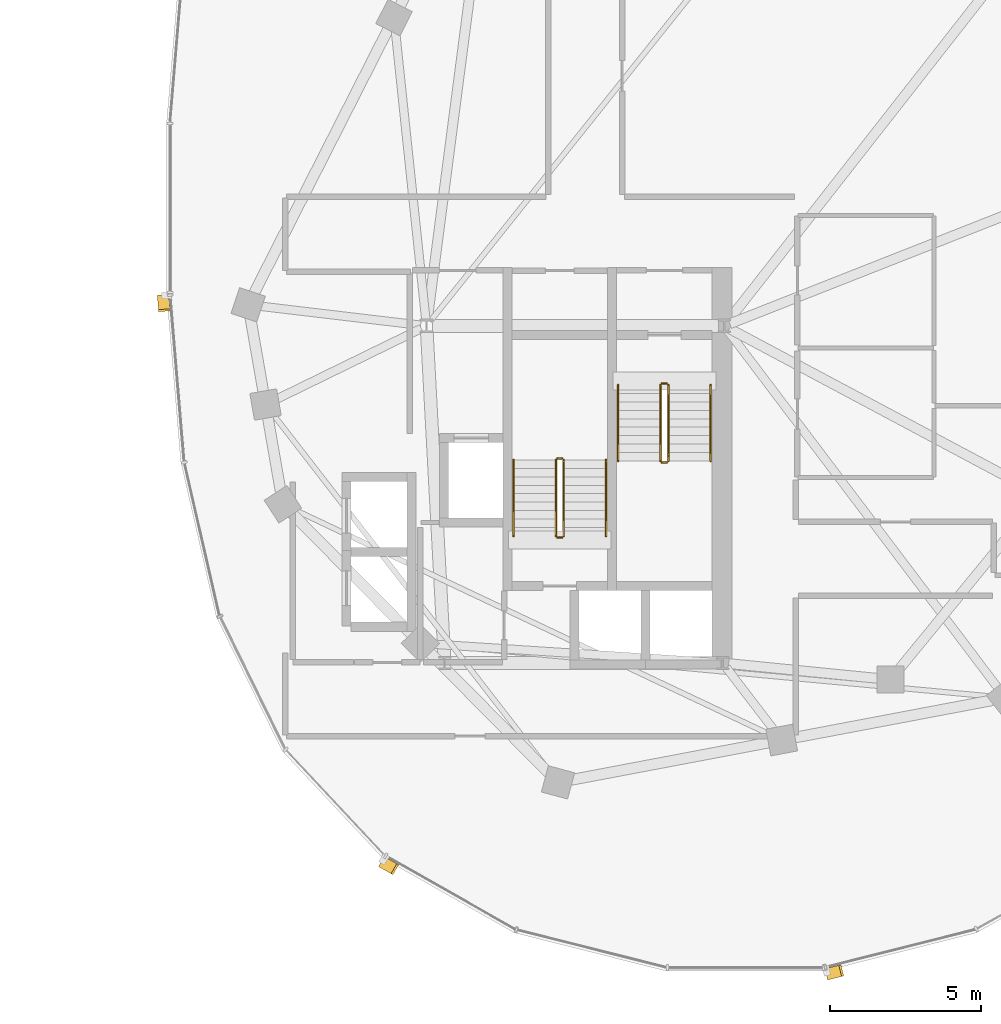
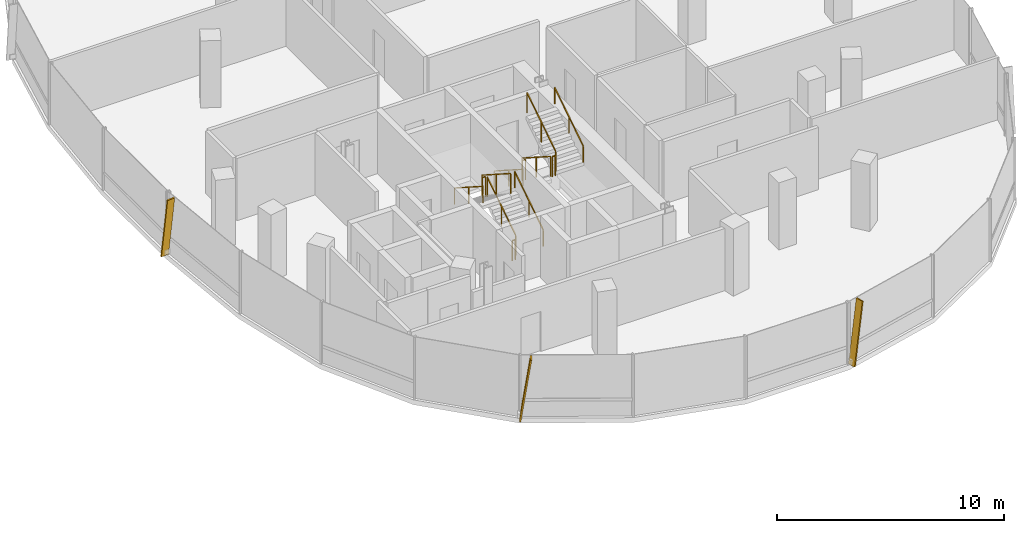
# One storey, part 24 of 25: 12 railings, 3 shading devices.
"""IFC4 building model written with IfcOpenShell, lengths in metres."""

from ifc_helpers import new_model, si_unit, direction, frame, origin, origin_2d, place, context, subcontext, project, spatial, rectangle, extrude, material, material_profile, profile_set, type_object, element, save


model = new_model("IFC4")

# Units and contexts
model_context = context("Model", 3, precision=1e-05, world=origin(), true_north=direction((0.0, 1.0)))
body_context = subcontext(model_context, "Body", "Model", "MODEL_VIEW")
ifc_project = project(units=[si_unit("LENGTHUNIT", "METRE"), si_unit("AREAUNIT", "SQUARE_METRE"), si_unit("VOLUMEUNIT", "CUBIC_METRE"), si_unit("PLANEANGLEUNIT", "RADIAN"), si_unit("MASSUNIT", "GRAM", prefix="KILO"), si_unit("THERMODYNAMICTEMPERATUREUNIT", "KELVIN"), si_unit("POWERUNIT", "WATT")], contexts=[model_context])

# Site, building, storey
site_placement = place(None, origin())
site = spatial("IfcSite", under=ifc_project, at=site_placement, CompositionType="ELEMENT")
building_placement = place(site_placement, origin())
building = spatial("IfcBuilding", under=site, at=building_placement, Name="Cundina Bronze Exchange", CompositionType="ELEMENT")
storey_placement = place(building_placement, frame((0.0, 0.0, 209.800048828125)))
storey = spatial("IfcBuildingStorey", under=building, at=storey_placement, Name="L55", CompositionType="ELEMENT", Elevation=209.800048828125)

# Railings
ifc_material_1 = material(Name="Steel ASTM A36 Painted", Category="steel")
railing_type_1 = type_object("IfcRailingType", Name="RLG-HND-900", PredefinedType="HANDRAIL", material=ifc_material_1)
railing_1_placement = place(storey_placement, frame((27.7900390625, -5.85009765625, 0.179931640625)))
element("IfcRailing", 1, at=railing_1_placement, inside=storey, type_object=railing_type_1, Name="L55 ST-E1 stair handrail 1", PredefinedType="HANDRAIL", context=body_context, shape_type="SweptSolid", body=[
    extrude(rectangle(XDim=0.048095703125, YDim=0.048095703125, at=origin_2d()), frame((0.0, 0.0, 0.8759765625), z_axis=(0.0, -0.841162588446, 0.540782303519), x_axis=(1.0, 0.0, 0.0)), (0.0, 0.0, 1.0), 2.995849609375),
    extrude(rectangle(XDim=0.0419921875, YDim=0.0419921875, at=origin_2d()), origin(), (0.0, 0.0, 1.0), 0.851806640625),
    extrude(rectangle(XDim=0.0419921875, YDim=0.0419921875, at=origin_2d()), frame((0.0, -1.260009765625, 0.81005859375)), (0.0, 0.0, 1.0), 0.851806640625),
    extrude(rectangle(XDim=0.0419921875, YDim=0.0419921875, at=origin_2d()), frame((0.0, -2.52001953125, 1.6201171875)), (0.0, 0.0, 1.0), 0.851806640625),
])
railing_2_placement = place(storey_placement, frame((30.85009765625, -8.3701171875, 1.97998046875)))
element("IfcRailing", 2, at=railing_2_placement, inside=storey, type_object=railing_type_1, Name="L55 ST-E1 stair handrail 2", PredefinedType="HANDRAIL", context=body_context, shape_type="SweptSolid", body=[
    extrude(rectangle(XDim=0.048095703125, YDim=0.048095703125, at=origin_2d()), frame((0.0, 0.0, 0.8759765625), z_axis=(0.0, 0.841199657755, 0.540724639528), x_axis=(-1.0, 0.0, 0.0)), (0.0, 0.0, 1.0), 2.995849609375),
    extrude(rectangle(XDim=0.0419921875, YDim=0.0419921875, at=origin_2d()), origin(), (0.0, 0.0, 1.0), 0.851806640625),
    extrude(rectangle(XDim=0.0419921875, YDim=0.0419921875, at=origin_2d()), frame((0.0, 1.260009765625, 0.81005859375)), (0.0, 0.0, 1.0), 0.851806640625),
    extrude(rectangle(XDim=0.0419921875, YDim=0.0419921875, at=origin_2d()), frame((0.0, 2.52001953125, 1.619873046875)), (0.0, 0.0, 1.0), 0.851806640625),
])
railing_3_placement = place(storey_placement, frame((27.389892578125, -10.85009765625, 0.179931640625)))
element("IfcRailing", 3, at=railing_3_placement, inside=storey, type_object=railing_type_1, Name="L55 ST-E2 stair handrail 1", PredefinedType="HANDRAIL", context=body_context, shape_type="SweptSolid", body=[
    extrude(rectangle(XDim=0.048095703125, YDim=0.048095703125, at=origin_2d()), frame((0.0, 0.0, 0.8759765625), z_axis=(0.0, 0.841162588446, 0.540782303519), x_axis=(-1.0, 0.0, 0.0)), (0.0, 0.0, 1.0), 2.995849609375),
    extrude(rectangle(XDim=0.0419921875, YDim=0.0419921875, at=origin_2d()), origin(), (0.0, 0.0, 1.0), 0.851806640625),
    extrude(rectangle(XDim=0.0419921875, YDim=0.0419921875, at=origin_2d()), frame((0.0, 1.260009765625, 0.81005859375)), (0.0, 0.0, 1.0), 0.851806640625),
    extrude(rectangle(XDim=0.0419921875, YDim=0.0419921875, at=origin_2d()), frame((0.0, 2.52001953125, 1.6201171875)), (0.0, 0.0, 1.0), 0.851806640625),
])
railing_4_placement = place(storey_placement, frame((24.330078125, -8.330078125, 1.97998046875)))
element("IfcRailing", 4, at=railing_4_placement, inside=storey, type_object=railing_type_1, Name="L55 ST-E2 stair handrail 2", PredefinedType="HANDRAIL", context=body_context, shape_type="SweptSolid", body=[
    extrude(rectangle(XDim=0.048095703125, YDim=0.048095703125, at=origin_2d()), frame((0.0, 0.0, 0.8759765625), z_axis=(0.0, -0.841199657755, 0.540724639528), x_axis=(1.0, 0.0, 0.0)), (0.0, 0.0, 1.0), 2.995849609375),
    extrude(rectangle(XDim=0.0419921875, YDim=0.0419921875, at=origin_2d()), origin(), (0.0, 0.0, 1.0), 0.851806640625),
    extrude(rectangle(XDim=0.0419921875, YDim=0.0419921875, at=origin_2d()), frame((0.0, -1.260009765625, 0.81005859375)), (0.0, 0.0, 1.0), 0.851806640625),
    extrude(rectangle(XDim=0.0419921875, YDim=0.0419921875, at=origin_2d()), frame((0.0, -2.52001953125, 1.619873046875)), (0.0, 0.0, 1.0), 0.851806640625),
])
railing_type_2 = type_object("IfcRailingType", Name="RLG-STG-1100", PredefinedType="GUARDRAIL", material=ifc_material_1)
railing_5_placement = place(storey_placement, frame((29.18994140625, -5.85009765625, 0.179931640625)))
element("IfcRailing", 5, at=railing_5_placement, inside=storey, type_object=railing_type_2, Name="L55 ST-E1 stair guard 1", PredefinedType="GUARDRAIL", context=body_context, shape_type="SweptSolid", body=[
    extrude(rectangle(XDim=0.048095703125, YDim=0.048095703125, at=origin_2d()), frame((0.0, 0.0, 1.076171875), z_axis=(0.0, -0.841162588446, 0.540782303519), x_axis=(1.0, 0.0, 0.0)), (0.0, 0.0, 1.0), 2.995849609375),
    extrude(rectangle(XDim=0.0419921875, YDim=0.0419921875, at=origin_2d()), origin(), (0.0, 0.0, 1.0), 1.052001953125),
    extrude(rectangle(XDim=0.0419921875, YDim=0.0419921875, at=origin_2d()), frame((0.0, -1.260009765625, 0.81005859375)), (0.0, 0.0, 1.0), 1.052001953125),
    extrude(rectangle(XDim=0.0419921875, YDim=0.0419921875, at=origin_2d()), frame((0.0, -2.52001953125, 1.6201171875)), (0.0, 0.0, 1.0), 1.052001953125),
])
railing_6_placement = place(storey_placement, frame((29.239990234375, -8.419921875, 1.800048828125)))
element("IfcRailing", 6, at=railing_6_placement, inside=storey, type_object=railing_type_2, Name="L55 ST-E1 stair guard 2", PredefinedType="GUARDRAIL", context=body_context, shape_type="SweptSolid", body=[
    extrude(rectangle(XDim=0.048095703125, YDim=0.048095703125, at=origin_2d()), frame((0.0, 0.0, 1.076171875), z_axis=(1.0, 0.0, 0.0), x_axis=(0.0, 1.0, 0.0)), (0.0, 0.0, 1.0), 0.159912109375),
    extrude(rectangle(XDim=0.0419921875, YDim=0.0419921875, at=origin_2d()), origin(), (0.0, 0.0, 1.0), 1.052001953125),
    extrude(rectangle(XDim=0.0419921875, YDim=0.0419921875, at=origin_2d()), frame((0.159912109375, 0.0, 0.0)), (0.0, 0.0, 1.0), 1.052001953125),
])
railing_7_placement = place(storey_placement, frame((29.449951171875, -8.3701171875, 1.97998046875)))
element("IfcRailing", 7, at=railing_7_placement, inside=storey, type_object=railing_type_2, Name="L55 ST-E1 stair guard 3", PredefinedType="GUARDRAIL", context=body_context, shape_type="SweptSolid", body=[
    extrude(rectangle(XDim=0.048095703125, YDim=0.048095703125, at=origin_2d()), frame((0.0, 0.0, 1.076171875), z_axis=(0.0, 0.841199657755, 0.540724639528), x_axis=(-1.0, 0.0, 0.0)), (0.0, 0.0, 1.0), 2.995849609375),
    extrude(rectangle(XDim=0.0419921875, YDim=0.0419921875, at=origin_2d()), origin(), (0.0, 0.0, 1.0), 1.052001953125),
    extrude(rectangle(XDim=0.0419921875, YDim=0.0419921875, at=origin_2d()), frame((0.0, 1.260009765625, 0.81005859375)), (0.0, 0.0, 1.0), 1.052001953125),
    extrude(rectangle(XDim=0.0419921875, YDim=0.0419921875, at=origin_2d()), frame((0.0, 2.52001953125, 1.619873046875)), (0.0, 0.0, 1.0), 1.052001953125),
])
railing_8_placement = place(storey_placement, frame((29.239990234375, -5.800048828125, 0.0)))
element("IfcRailing", 8, at=railing_8_placement, inside=storey, type_object=railing_type_2, Name="L55 ST-E1 stair guard 4", PredefinedType="GUARDRAIL", context=body_context, shape_type="SweptSolid", body=[
    extrude(rectangle(XDim=0.048095703125, YDim=0.048095703125, at=origin_2d()), frame((0.0, 0.0, 1.076171875), z_axis=(1.0, 0.0, 0.0), x_axis=(0.0, 1.0, 0.0)), (0.0, 0.0, 1.0), 0.159912109375),
    extrude(rectangle(XDim=0.0419921875, YDim=0.0419921875, at=origin_2d()), origin(), (0.0, 0.0, 1.0), 1.052001953125),
    extrude(rectangle(XDim=0.0419921875, YDim=0.0419921875, at=origin_2d()), frame((0.159912109375, 0.0, 0.0)), (0.0, 0.0, 1.0), 1.052001953125),
])
railing_9_placement = place(storey_placement, frame((25.989990234375, -10.85009765625, 0.179931640625)))
element("IfcRailing", 9, at=railing_9_placement, inside=storey, type_object=railing_type_2, Name="L55 ST-E2 stair guard 1", PredefinedType="GUARDRAIL", context=body_context, shape_type="SweptSolid", body=[
    extrude(rectangle(XDim=0.048095703125, YDim=0.048095703125, at=origin_2d()), frame((0.0, 0.0, 1.076171875), z_axis=(0.0, 0.841162588446, 0.540782303519), x_axis=(-1.0, 0.0, 0.0)), (0.0, 0.0, 1.0), 2.995849609375),
    extrude(rectangle(XDim=0.0419921875, YDim=0.0419921875, at=origin_2d()), origin(), (0.0, 0.0, 1.0), 1.052001953125),
    extrude(rectangle(XDim=0.0419921875, YDim=0.0419921875, at=origin_2d()), frame((0.0, 1.260009765625, 0.81005859375)), (0.0, 0.0, 1.0), 1.052001953125),
    extrude(rectangle(XDim=0.0419921875, YDim=0.0419921875, at=origin_2d()), frame((0.0, 2.52001953125, 1.6201171875)), (0.0, 0.0, 1.0), 1.052001953125),
])
railing_10_placement = place(storey_placement, frame((25.93994140625, -8.280029296875, 1.800048828125)))
element("IfcRailing", 10, at=railing_10_placement, inside=storey, type_object=railing_type_2, Name="L55 ST-E2 stair guard 2", PredefinedType="GUARDRAIL", context=body_context, shape_type="SweptSolid", body=[
    extrude(rectangle(XDim=0.048095703125, YDim=0.048095703125, at=origin_2d()), frame((0.0, 0.0, 1.076171875), z_axis=(-1.0, 0.0, 0.0), x_axis=(0.0, -1.0, 0.0)), (0.0, 0.0, 1.0), 0.159912109375),
    extrude(rectangle(XDim=0.0419921875, YDim=0.0419921875, at=origin_2d()), origin(), (0.0, 0.0, 1.0), 1.052001953125),
    extrude(rectangle(XDim=0.0419921875, YDim=0.0419921875, at=origin_2d()), frame((-0.159912109375, 0.0, 0.0)), (0.0, 0.0, 1.0), 1.052001953125),
])
railing_11_placement = place(storey_placement, frame((25.72998046875, -8.330078125, 1.97998046875)))
element("IfcRailing", 11, at=railing_11_placement, inside=storey, type_object=railing_type_2, Name="L55 ST-E2 stair guard 3", PredefinedType="GUARDRAIL", context=body_context, shape_type="SweptSolid", body=[
    extrude(rectangle(XDim=0.048095703125, YDim=0.048095703125, at=origin_2d()), frame((0.0, 0.0, 1.076171875), z_axis=(0.0, -0.841199657755, 0.540724639528), x_axis=(1.0, 0.0, 0.0)), (0.0, 0.0, 1.0), 2.995849609375),
    extrude(rectangle(XDim=0.0419921875, YDim=0.0419921875, at=origin_2d()), origin(), (0.0, 0.0, 1.0), 1.052001953125),
    extrude(rectangle(XDim=0.0419921875, YDim=0.0419921875, at=origin_2d()), frame((0.0, -1.260009765625, 0.81005859375)), (0.0, 0.0, 1.0), 1.052001953125),
    extrude(rectangle(XDim=0.0419921875, YDim=0.0419921875, at=origin_2d()), frame((0.0, -2.52001953125, 1.619873046875)), (0.0, 0.0, 1.0), 1.052001953125),
])
railing_12_placement = place(storey_placement, frame((25.93994140625, -10.89990234375, 0.0)))
element("IfcRailing", 12, at=railing_12_placement, inside=storey, type_object=railing_type_2, Name="L55 ST-E2 stair guard 4", PredefinedType="GUARDRAIL", context=body_context, shape_type="SweptSolid", body=[
    extrude(rectangle(XDim=0.048095703125, YDim=0.048095703125, at=origin_2d()), frame((0.0, 0.0, 1.076171875), z_axis=(-1.0, 0.0, 0.0), x_axis=(0.0, -1.0, 0.0)), (0.0, 0.0, 1.0), 0.159912109375),
    extrude(rectangle(XDim=0.0419921875, YDim=0.0419921875, at=origin_2d()), origin(), (0.0, 0.0, 1.0), 1.052001953125),
    extrude(rectangle(XDim=0.0419921875, YDim=0.0419921875, at=origin_2d()), frame((-0.159912109375, 0.0, 0.0)), (0.0, 0.0, 1.0), 1.052001953125),
])

# Shading devices
ifc_material_2 = material(Name="Anodised Bronze Aluminium 6063-T6", Category="aluminium")
ifc_material_profile = material_profile(ifc_material_2, rectangle(XDim=0.070068359375, YDim=0.3798828125, at=origin_2d()), Name="FIN70X380", Category="aluminium")
ifc_profile_set = profile_set([ifc_material_profile], Name="Anodised Bronze Aluminium 6063-T6")
shading_device_type = type_object("IfcShadingDeviceType", Name="SHD-FIN-BRZ380", PredefinedType="USERDEFINED", material=ifc_profile_set)
for number, where, z_axis, x_axis, name in (
    (13, (12.735595703125, -2.90283203125, 0.02001953125), (0.012006555776, -0.143419772964, 0.98958911238), (-0.082555834947, 0.986139516224, 0.143921466983), "L55 Diagonal Bronze Solar Fin 1"),
    (14, (19.984375, -21.635498046875, 0.02001953125), (0.125189514072, -0.071087145125, 0.989582843103), (-0.860526986551, 0.488638423358, 0.143964567292), "L55 Diagonal Bronze Solar Fin 5"),
    (15, (34.705810546875, -25.344482421875, 0.02001953125), (0.139611891367, 0.03514090606, 0.989582556693), (-0.959650042543, -0.24154799183, 0.143966536007), "L55 Diagonal Bronze Solar Fin 1"),
):
    element("IfcShadingDevice", number, at=place(storey_placement, frame(where, z_axis=z_axis, x_axis=x_axis)), inside=storey, type_object=shading_device_type, Name=name, ObjectType="FIN", PredefinedType="USERDEFINED", context=body_context, shape_type="SweptSolid", body=[
        extrude(rectangle(XDim=0.070068359375, YDim=0.3798828125, at=origin_2d()), origin(), (0.0, 0.0, 1.0), 3.334716796875),
    ])

save(model, "model.ifc")
